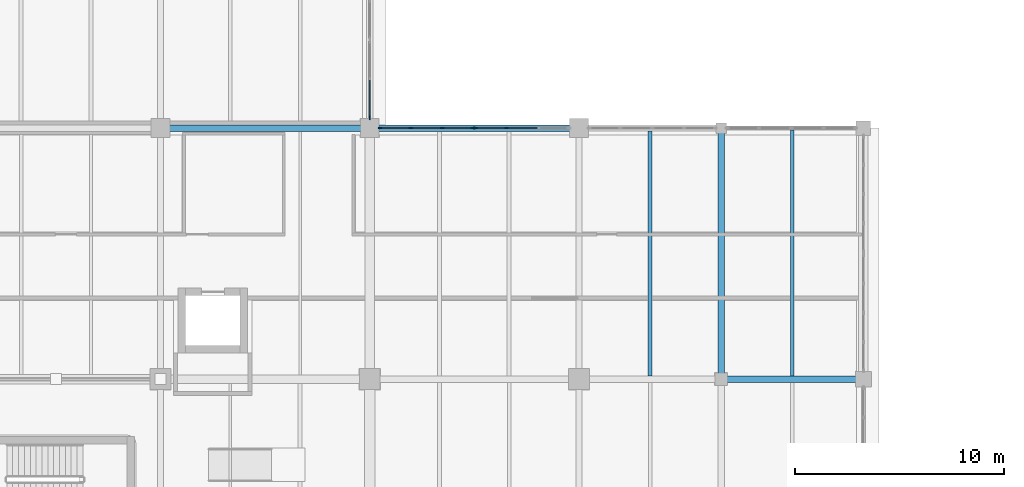
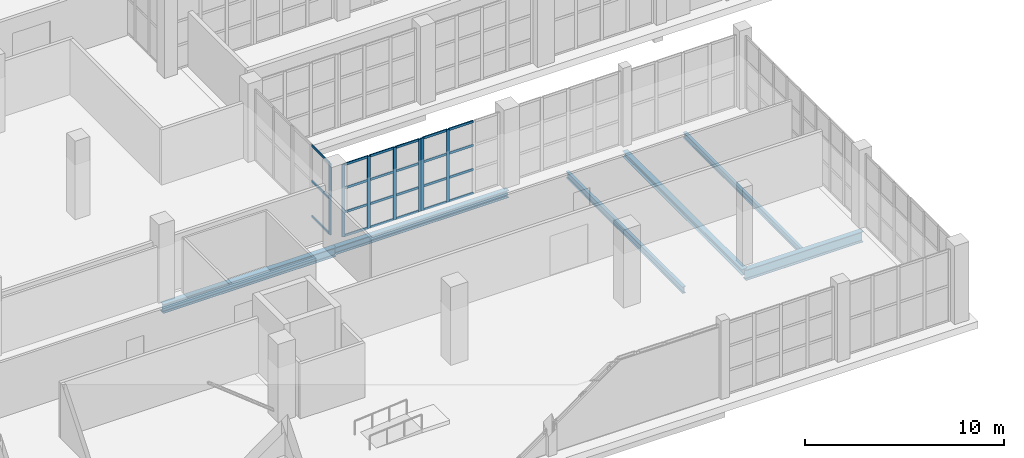
# One storey, part 43 of 121: 30 members, 6 beams, 3 elements without a shape of their own.
"""IFC4 building model written with IfcOpenShell, lengths in metres."""

from ifc_helpers import new_model, si_unit, direction, frame, origin, origin_2d, place, context, subcontext, project, spatial, rectangle, i_section, extrude, material, layer, layer_set, material_profile, profile_set, type_object, element, aggregate, save


model = new_model("IFC4")

# Units and contexts
model_context = context("Model", 3, precision=1e-05, world=origin(), true_north=direction((0.0, 1.0)))
body_context = subcontext(model_context, "Body", "Model", "MODEL_VIEW")
ifc_project = project(units=[si_unit("LENGTHUNIT", "METRE"), si_unit("AREAUNIT", "SQUARE_METRE"), si_unit("VOLUMEUNIT", "CUBIC_METRE"), si_unit("PLANEANGLEUNIT", "RADIAN"), si_unit("MASSUNIT", "GRAM", prefix="KILO")], contexts=[model_context])

# Site, building, storey
site_placement = place(None, origin())
site = spatial("IfcSite", under=ifc_project, at=site_placement, CompositionType="ELEMENT")
building_placement = place(site_placement, origin())
building = spatial("IfcBuilding", under=site, at=building_placement, Name="Zereglee Splitstone Museum", CompositionType="ELEMENT")
storey_placement = place(building_placement, origin())
storey = spatial("IfcBuildingStorey", under=building, at=storey_placement, Name="L00", CompositionType="ELEMENT", Elevation=0.0)

# Curtain wall, members
ifc_material_1 = material(Name="Triple-glazed low-E argon glass and bronze-anodised aluminium", Category="aluminium")
ifc_layer_1 = layer(ifc_material_1, 0.179931640625)
ifc_layer_set_1 = layer_set([ifc_layer_1], Name="Triple-glazed low-E argon glass and bronze-anodised aluminium")
curtain_wall_type_1 = type_object("IfcCurtainWallType", Name="CW-0450-444", PredefinedType="USERDEFINED", material=ifc_layer_set_1)
curtain_wall_1_placement = place(storey_placement, origin())
curtain_wall_1 = element("IfcCurtainWall", 1, at=curtain_wall_1_placement, inside=storey, type_object=curtain_wall_type_1, Name="Glazed Curtain Wall CW-0450-444 (L00)", ObjectType="GLAZED CURTAIN WALL", PredefinedType="USERDEFINED")
ifc_material_2 = material(Name="Thermally broken bronze-anodised aluminium", Category="aluminium")
ifc_material_profile_1 = material_profile(ifc_material_2, rectangle(XDim=0.06494140625, YDim=0.179931640625, at=origin_2d()), Name="CW MULL 65x180")
ifc_profile_set_1 = profile_set([ifc_material_profile_1], Name="Thermally broken bronze-anodised aluminium")
member_type_1 = type_object("IfcMemberType", Name="CWM-01", PredefinedType="MULLION", material=ifc_profile_set_1)
member_1_placement = place(storey_placement, frame((211.74072265625, 21.60009765625, 0.0), z_axis=(0.0, 0.0, 1.0), x_axis=(0.0, -1.0, 0.0)))
member_1 = element("IfcMember", 2, at=member_1_placement, type_object=member_type_1, Name="CW-0450-444 mullion 3", PredefinedType="MULLION", context=body_context, shape_type="SweptSolid", body=[
    extrude(rectangle(XDim=0.06494140625, YDim=0.179931640625, at=origin_2d()), origin(), (0.0, 0.0, 1.0), 4.43994140625),
])
member_2_placement = place(storey_placement, frame((210.2724609375, 21.60009765625, 0.0), z_axis=(0.0, 0.0, 1.0), x_axis=(0.0, -1.0, 0.0)))
member_2 = element("IfcMember", 3, at=member_2_placement, type_object=member_type_1, Name="CW-0450-444 mullion 4", PredefinedType="MULLION", context=body_context, shape_type="SweptSolid", body=[
    extrude(rectangle(XDim=0.06494140625, YDim=0.179931640625, at=origin_2d()), origin(), (0.0, 0.0, 1.0), 4.43994140625),
])

ifc_layer_2 = layer(ifc_material_1, 0.179931640625)
ifc_layer_set_2 = layer_set([ifc_layer_2], Name="Triple-glazed low-E argon glass and bronze-anodised aluminium")
curtain_wall_type_2 = type_object("IfcCurtainWallType", Name="CW-0450-442", PredefinedType="USERDEFINED", material=ifc_layer_set_2)
curtain_wall_2_placement = place(storey_placement, origin())
curtain_wall_2 = element("IfcCurtainWall", 4, at=curtain_wall_2_placement, inside=storey, type_object=curtain_wall_type_2, Name="Glazed Curtain Wall CW-0450-442 (L00)", ObjectType="GLAZED CURTAIN WALL", PredefinedType="USERDEFINED")
member_3_placement = place(storey_placement, frame((210.12744140625, 21.60009765625, 0.0), z_axis=(0.0, 0.0, 1.0), x_axis=(0.0, -1.0, 0.0)))
member_3 = element("IfcMember", 5, at=member_3_placement, type_object=member_type_1, Name="CW-0450-442 mullion 1", PredefinedType="MULLION", context=body_context, shape_type="SweptSolid", body=[
    extrude(rectangle(XDim=0.06494140625, YDim=0.179931640625, at=origin_2d()), origin(), (0.0, 0.0, 1.0), 4.419921875),
])
member_4_placement = place(storey_placement, frame((208.659423828125, 21.60009765625, 0.0), z_axis=(0.0, 0.0, 1.0), x_axis=(0.0, -1.0, 0.0)))
member_4 = element("IfcMember", 6, at=member_4_placement, type_object=member_type_1, Name="CW-0450-442 mullion 2", PredefinedType="MULLION", context=body_context, shape_type="SweptSolid", body=[
    extrude(rectangle(XDim=0.06494140625, YDim=0.179931640625, at=origin_2d()), origin(), (0.0, 0.0, 1.0), 4.419921875),
])
member_5_placement = place(storey_placement, frame((207.15869140625, 21.60009765625, 0.0), z_axis=(0.0, 0.0, 1.0), x_axis=(0.0, -1.0, 0.0)))
member_5 = element("IfcMember", 7, at=member_5_placement, type_object=member_type_1, Name="CW-0450-442 mullion 3", PredefinedType="MULLION", context=body_context, shape_type="SweptSolid", body=[
    extrude(rectangle(XDim=0.06494140625, YDim=0.179931640625, at=origin_2d()), origin(), (0.0, 0.0, 1.0), 4.419921875),
])
member_6_placement = place(storey_placement, frame((205.6904296875, 21.60009765625, 0.0), z_axis=(0.0, 0.0, 1.0), x_axis=(0.0, -1.0, 0.0)))
member_6 = element("IfcMember", 8, at=member_6_placement, type_object=member_type_1, Name="CW-0450-442 mullion 4", PredefinedType="MULLION", context=body_context, shape_type="SweptSolid", body=[
    extrude(rectangle(XDim=0.06494140625, YDim=0.179931640625, at=origin_2d()), origin(), (0.0, 0.0, 1.0), 4.419921875),
])

# Curtain wall, member
ifc_layer_3 = layer(ifc_material_1, 0.179931640625)
ifc_layer_set_3 = layer_set([ifc_layer_3], Name="Triple-glazed low-E argon glass and bronze-anodised aluminium")
curtain_wall_type_3 = type_object("IfcCurtainWallType", Name="CW-0371-438", PredefinedType="USERDEFINED", material=ifc_layer_set_3)
curtain_wall_3_placement = place(storey_placement, origin())
curtain_wall_3 = element("IfcCurtainWall", 9, at=curtain_wall_3_placement, inside=storey, type_object=curtain_wall_type_3, Name="Glazed Curtain Wall CW-0371-438 (L00)", ObjectType="GLAZED CURTAIN WALL", PredefinedType="USERDEFINED")
member_7_placement = place(storey_placement, frame((205.199951171875, 22.090576171875, 0.0), z_axis=(0.0, 0.0, 1.0), x_axis=(-1.0, 0.0, 0.0)))
member_7 = element("IfcMember", 10, at=member_7_placement, type_object=member_type_1, Name="CW-0371-438 mullion 1", PredefinedType="MULLION", context=body_context, shape_type="SweptSolid", body=[
    extrude(rectangle(XDim=0.06494140625, YDim=0.179931640625, at=origin_2d()), origin(), (0.0, 0.0, 1.0), 4.3798828125),
])

# Member
ifc_material_profile_2 = material_profile(ifc_material_2, rectangle(XDim=0.06494140625, YDim=0.139892578125, at=origin_2d()), Name="CW TRAN 65x140")
ifc_profile_set_2 = profile_set([ifc_material_profile_2], Name="Thermally broken bronze-anodised aluminium")
member_type_2 = type_object("IfcMemberType", Name="CWT-01", PredefinedType="USERDEFINED", material=ifc_profile_set_2)
member_8_placement = place(storey_placement, frame((213.208740234375, 21.60009765625, 0.032470703125), z_axis=(-1.0, 0.0, 0.0), x_axis=(0.0, -1.0, 0.0)))
member_8 = element("IfcMember", 11, at=member_8_placement, type_object=member_type_2, Name="CW-0450-444 transom 2.1", ObjectType="TRANSOM", PredefinedType="USERDEFINED", context=body_context, shape_type="SweptSolid", body=[
    extrude(rectangle(XDim=0.06494140625, YDim=0.139892578125, at=origin_2d()), origin(), (0.0, 0.0, 1.0), 1.435546875),
])

member_9_placement = place(storey_placement, frame((213.208740234375, 21.60009765625, 1.47998046875), z_axis=(-1.0, 0.0, 0.0), x_axis=(0.0, -1.0, 0.0)))
member_9 = element("IfcMember", 12, at=member_9_placement, type_object=member_type_2, Name="CW-0450-444 transom 2.2", ObjectType="TRANSOM", PredefinedType="USERDEFINED", context=body_context, shape_type="SweptSolid", body=[
    extrude(rectangle(XDim=0.06494140625, YDim=0.139892578125, at=origin_2d()), origin(), (0.0, 0.0, 1.0), 1.435546875),
])

member_10_placement = place(storey_placement, frame((213.208740234375, 21.60009765625, 2.9599609375), z_axis=(-1.0, 0.0, 0.0), x_axis=(0.0, -1.0, 0.0)))
member_10 = element("IfcMember", 13, at=member_10_placement, type_object=member_type_2, Name="CW-0450-444 transom 2.3", ObjectType="TRANSOM", PredefinedType="USERDEFINED", context=body_context, shape_type="SweptSolid", body=[
    extrude(rectangle(XDim=0.06494140625, YDim=0.139892578125, at=origin_2d()), origin(), (0.0, 0.0, 1.0), 1.435546875),
])

member_11_placement = place(storey_placement, frame((213.208740234375, 21.60009765625, 4.407470703125), z_axis=(-1.0, 0.0, 0.0), x_axis=(0.0, -1.0, 0.0)))
member_11 = element("IfcMember", 14, at=member_11_placement, type_object=member_type_2, Name="CW-0450-444 transom 2.4", ObjectType="TRANSOM", PredefinedType="USERDEFINED", context=body_context, shape_type="SweptSolid", body=[
    extrude(rectangle(XDim=0.06494140625, YDim=0.139892578125, at=origin_2d()), origin(), (0.0, 0.0, 1.0), 1.435546875),
])

member_12_placement = place(storey_placement, frame((211.708251953125, 21.60009765625, 0.032470703125), z_axis=(-1.0, 0.0, 0.0), x_axis=(0.0, -1.0, 0.0)))
member_12 = element("IfcMember", 15, at=member_12_placement, type_object=member_type_2, Name="CW-0450-444 transom 3.1", ObjectType="TRANSOM", PredefinedType="USERDEFINED", context=body_context, shape_type="SweptSolid", body=[
    extrude(rectangle(XDim=0.06494140625, YDim=0.139892578125, at=origin_2d()), origin(), (0.0, 0.0, 1.0), 1.4033203125),
])

member_13_placement = place(storey_placement, frame((211.708251953125, 21.60009765625, 1.47998046875), z_axis=(-1.0, 0.0, 0.0), x_axis=(0.0, -1.0, 0.0)))
member_13 = element("IfcMember", 16, at=member_13_placement, type_object=member_type_2, Name="CW-0450-444 transom 3.2", ObjectType="TRANSOM", PredefinedType="USERDEFINED", context=body_context, shape_type="SweptSolid", body=[
    extrude(rectangle(XDim=0.06494140625, YDim=0.139892578125, at=origin_2d()), origin(), (0.0, 0.0, 1.0), 1.4033203125),
])

member_14_placement = place(storey_placement, frame((211.708251953125, 21.60009765625, 2.9599609375), z_axis=(-1.0, 0.0, 0.0), x_axis=(0.0, -1.0, 0.0)))
member_14 = element("IfcMember", 17, at=member_14_placement, type_object=member_type_2, Name="CW-0450-444 transom 3.3", ObjectType="TRANSOM", PredefinedType="USERDEFINED", context=body_context, shape_type="SweptSolid", body=[
    extrude(rectangle(XDim=0.06494140625, YDim=0.139892578125, at=origin_2d()), origin(), (0.0, 0.0, 1.0), 1.4033203125),
])

member_15_placement = place(storey_placement, frame((211.708251953125, 21.60009765625, 4.407470703125), z_axis=(-1.0, 0.0, 0.0), x_axis=(0.0, -1.0, 0.0)))
member_15 = element("IfcMember", 18, at=member_15_placement, type_object=member_type_2, Name="CW-0450-444 transom 3.4", ObjectType="TRANSOM", PredefinedType="USERDEFINED", context=body_context, shape_type="SweptSolid", body=[
    extrude(rectangle(XDim=0.06494140625, YDim=0.139892578125, at=origin_2d()), origin(), (0.0, 0.0, 1.0), 1.4033203125),
])

aggregate(curtain_wall_1, [member_1, member_2, member_8, member_9, member_10, member_11, member_12, member_13, member_14, member_15])

member_16_placement = place(storey_placement, frame((210.094970703125, 21.60009765625, 0.032470703125), z_axis=(-1.0, 0.0, 0.0), x_axis=(0.0, -1.0, 0.0)))
member_16 = element("IfcMember", 19, at=member_16_placement, type_object=member_type_2, Name="CW-0450-442 transom 1.1", ObjectType="TRANSOM", PredefinedType="USERDEFINED", context=body_context, shape_type="SweptSolid", body=[
    extrude(rectangle(XDim=0.06494140625, YDim=0.139892578125, at=origin_2d()), origin(), (0.0, 0.0, 1.0), 1.403076171875),
])

member_17_placement = place(storey_placement, frame((210.094970703125, 21.60009765625, 1.473388671875), z_axis=(-1.0, 0.0, 0.0), x_axis=(0.0, -1.0, 0.0)))
member_17 = element("IfcMember", 20, at=member_17_placement, type_object=member_type_2, Name="CW-0450-442 transom 1.2", ObjectType="TRANSOM", PredefinedType="USERDEFINED", context=body_context, shape_type="SweptSolid", body=[
    extrude(rectangle(XDim=0.06494140625, YDim=0.139892578125, at=origin_2d()), origin(), (0.0, 0.0, 1.0), 1.403076171875),
])

member_18_placement = place(storey_placement, frame((210.094970703125, 21.60009765625, 2.94677734375), z_axis=(-1.0, 0.0, 0.0), x_axis=(0.0, -1.0, 0.0)))
member_18 = element("IfcMember", 21, at=member_18_placement, type_object=member_type_2, Name="CW-0450-442 transom 1.3", ObjectType="TRANSOM", PredefinedType="USERDEFINED", context=body_context, shape_type="SweptSolid", body=[
    extrude(rectangle(XDim=0.06494140625, YDim=0.139892578125, at=origin_2d()), origin(), (0.0, 0.0, 1.0), 1.403076171875),
])

member_19_placement = place(storey_placement, frame((210.094970703125, 21.60009765625, 4.387451171875), z_axis=(-1.0, 0.0, 0.0), x_axis=(0.0, -1.0, 0.0)))
member_19 = element("IfcMember", 22, at=member_19_placement, type_object=member_type_2, Name="CW-0450-442 transom 1.4", ObjectType="TRANSOM", PredefinedType="USERDEFINED", context=body_context, shape_type="SweptSolid", body=[
    extrude(rectangle(XDim=0.06494140625, YDim=0.139892578125, at=origin_2d()), origin(), (0.0, 0.0, 1.0), 1.403076171875),
])

member_20_placement = place(storey_placement, frame((208.626953125, 21.60009765625, 0.032470703125), z_axis=(-1.0, 0.0, 0.0), x_axis=(0.0, -1.0, 0.0)))
member_20 = element("IfcMember", 23, at=member_20_placement, type_object=member_type_2, Name="CW-0450-442 transom 2.1", ObjectType="TRANSOM", PredefinedType="USERDEFINED", context=body_context, shape_type="SweptSolid", body=[
    extrude(rectangle(XDim=0.06494140625, YDim=0.139892578125, at=origin_2d()), origin(), (0.0, 0.0, 1.0), 1.435791015625),
])

member_21_placement = place(storey_placement, frame((208.626953125, 21.60009765625, 1.473388671875), z_axis=(-1.0, 0.0, 0.0), x_axis=(0.0, -1.0, 0.0)))
member_21 = element("IfcMember", 24, at=member_21_placement, type_object=member_type_2, Name="CW-0450-442 transom 2.2", ObjectType="TRANSOM", PredefinedType="USERDEFINED", context=body_context, shape_type="SweptSolid", body=[
    extrude(rectangle(XDim=0.06494140625, YDim=0.139892578125, at=origin_2d()), origin(), (0.0, 0.0, 1.0), 1.435791015625),
])

member_22_placement = place(storey_placement, frame((208.626953125, 21.60009765625, 2.94677734375), z_axis=(-1.0, 0.0, 0.0), x_axis=(0.0, -1.0, 0.0)))
member_22 = element("IfcMember", 25, at=member_22_placement, type_object=member_type_2, Name="CW-0450-442 transom 2.3", ObjectType="TRANSOM", PredefinedType="USERDEFINED", context=body_context, shape_type="SweptSolid", body=[
    extrude(rectangle(XDim=0.06494140625, YDim=0.139892578125, at=origin_2d()), origin(), (0.0, 0.0, 1.0), 1.435791015625),
])

member_23_placement = place(storey_placement, frame((208.626953125, 21.60009765625, 4.387451171875), z_axis=(-1.0, 0.0, 0.0), x_axis=(0.0, -1.0, 0.0)))
member_23 = element("IfcMember", 26, at=member_23_placement, type_object=member_type_2, Name="CW-0450-442 transom 2.4", ObjectType="TRANSOM", PredefinedType="USERDEFINED", context=body_context, shape_type="SweptSolid", body=[
    extrude(rectangle(XDim=0.06494140625, YDim=0.139892578125, at=origin_2d()), origin(), (0.0, 0.0, 1.0), 1.435791015625),
])

member_24_placement = place(storey_placement, frame((207.126220703125, 21.60009765625, 0.032470703125), z_axis=(-1.0, 0.0, 0.0), x_axis=(0.0, -1.0, 0.0)))
member_24 = element("IfcMember", 27, at=member_24_placement, type_object=member_type_2, Name="CW-0450-442 transom 3.1", ObjectType="TRANSOM", PredefinedType="USERDEFINED", context=body_context, shape_type="SweptSolid", body=[
    extrude(rectangle(XDim=0.06494140625, YDim=0.139892578125, at=origin_2d()), origin(), (0.0, 0.0, 1.0), 1.4033203125),
])

member_25_placement = place(storey_placement, frame((207.126220703125, 21.60009765625, 1.473388671875), z_axis=(-1.0, 0.0, 0.0), x_axis=(0.0, -1.0, 0.0)))
member_25 = element("IfcMember", 28, at=member_25_placement, type_object=member_type_2, Name="CW-0450-442 transom 3.2", ObjectType="TRANSOM", PredefinedType="USERDEFINED", context=body_context, shape_type="SweptSolid", body=[
    extrude(rectangle(XDim=0.06494140625, YDim=0.139892578125, at=origin_2d()), origin(), (0.0, 0.0, 1.0), 1.4033203125),
])

member_26_placement = place(storey_placement, frame((207.126220703125, 21.60009765625, 2.94677734375), z_axis=(-1.0, 0.0, 0.0), x_axis=(0.0, -1.0, 0.0)))
member_26 = element("IfcMember", 29, at=member_26_placement, type_object=member_type_2, Name="CW-0450-442 transom 3.3", ObjectType="TRANSOM", PredefinedType="USERDEFINED", context=body_context, shape_type="SweptSolid", body=[
    extrude(rectangle(XDim=0.06494140625, YDim=0.139892578125, at=origin_2d()), origin(), (0.0, 0.0, 1.0), 1.4033203125),
])

member_27_placement = place(storey_placement, frame((207.126220703125, 21.60009765625, 4.387451171875), z_axis=(-1.0, 0.0, 0.0), x_axis=(0.0, -1.0, 0.0)))
member_27 = element("IfcMember", 30, at=member_27_placement, type_object=member_type_2, Name="CW-0450-442 transom 3.4", ObjectType="TRANSOM", PredefinedType="USERDEFINED", context=body_context, shape_type="SweptSolid", body=[
    extrude(rectangle(XDim=0.06494140625, YDim=0.139892578125, at=origin_2d()), origin(), (0.0, 0.0, 1.0), 1.4033203125),
])

aggregate(curtain_wall_2, [member_3, member_4, member_5, member_6, member_16, member_17, member_18, member_19, member_20, member_21, member_22, member_23, member_24, member_25, member_26, member_27])

member_28_placement = place(storey_placement, frame((205.199951171875, 22.123046875, 0.032470703125), z_axis=(0.0, 1.0, 0.0), x_axis=(-1.0, 0.0, 0.0)))
member_28 = element("IfcMember", 31, at=member_28_placement, type_object=member_type_2, Name="CW-0371-438 transom 1.1", ObjectType="TRANSOM", PredefinedType="USERDEFINED", context=body_context, shape_type="SweptSolid", body=[
    extrude(rectangle(XDim=0.06494140625, YDim=0.139892578125, at=origin_2d()), origin(), (0.0, 0.0, 1.0), 1.759765625),
])

member_29_placement = place(storey_placement, frame((205.199951171875, 22.123046875, 2.18994140625), z_axis=(0.0, 1.0, 0.0), x_axis=(-1.0, 0.0, 0.0)))
member_29 = element("IfcMember", 32, at=member_29_placement, type_object=member_type_2, Name="CW-0371-438 transom 1.2", ObjectType="TRANSOM", PredefinedType="USERDEFINED", context=body_context, shape_type="SweptSolid", body=[
    extrude(rectangle(XDim=0.06494140625, YDim=0.139892578125, at=origin_2d()), origin(), (0.0, 0.0, 1.0), 1.759765625),
])

member_30_placement = place(storey_placement, frame((205.199951171875, 22.123046875, 4.347412109375), z_axis=(0.0, 1.0, 0.0), x_axis=(-1.0, 0.0, 0.0)))
member_30 = element("IfcMember", 33, at=member_30_placement, type_object=member_type_2, Name="CW-0371-438 transom 1.3", ObjectType="TRANSOM", PredefinedType="USERDEFINED", context=body_context, shape_type="SweptSolid", body=[
    extrude(rectangle(XDim=0.06494140625, YDim=0.139892578125, at=origin_2d()), origin(), (0.0, 0.0, 1.0), 1.759765625),
])

aggregate(curtain_wall_3, [member_7, member_28, member_29, member_30])

# Beams
ifc_material_3 = material(Name="Steel S355J2", Category="steel")
ifc_material_profile_3 = material_profile(ifc_material_3, i_section(OverallWidth=0.300048828125, OverallDepth=0.360107421875, WebThickness=0.012451171875, FlangeThickness=0.0224609375, FilletRadius=0.027099609375, at=origin_2d()), Name="HE 360 B")
ifc_profile_set_3 = profile_set([ifc_material_profile_3], Name="Steel S355J2")
beam_type_1 = type_object("IfcBeamType", Name="BG-14", PredefinedType="BEAM", material=ifc_profile_set_3)
beam_1_placement = place(storey_placement, frame((222.0, 9.60009765625, -0.60009765625), z_axis=(0.0, 1.0, 0.0), x_axis=(-1.0, 0.0, 0.0)))
element("IfcBeam", 34, at=beam_1_placement, inside=storey, type_object=beam_type_1, Name="Primary Girder L00 25 (9.6-21.6)", PredefinedType="BEAM", context=body_context, shape_type="SweptSolid", body=[
    extrude(i_section(OverallWidth=0.300048828125, OverallDepth=0.360107421875, WebThickness=0.012451171875, FlangeThickness=0.0224609375, FilletRadius=0.027099609375, at=origin_2d()), origin(), (0.0, 0.0, 1.0), 12.0),
])
ifc_material_profile_4 = material_profile(ifc_material_3, i_section(OverallWidth=0.300048828125, OverallDepth=0.550048828125, WebThickness=0.014892578125, FlangeThickness=0.029052734375, FilletRadius=0.027099609375, at=origin_2d()), Name="HE 550 B")
ifc_profile_set_4 = profile_set([ifc_material_profile_4], Name="Steel S355J2")
beam_type_2 = type_object("IfcBeamType", Name="BG-11", PredefinedType="BEAM", material=ifc_profile_set_4)
beam_2_placement = place(storey_placement, frame((195.199951171875, 21.60009765625, -0.695068359375), z_axis=(1.0, 0.0, 0.0), x_axis=(0.0, 1.0, 0.0)))
element("IfcBeam", 35, at=beam_2_placement, inside=storey, type_object=beam_type_2, Name="Primary Girder L00 C (195.2-205.2)", PredefinedType="BEAM", context=body_context, shape_type="SweptSolid", body=[
    extrude(i_section(OverallWidth=0.300048828125, OverallDepth=0.550048828125, WebThickness=0.014892578125, FlangeThickness=0.029052734375, FilletRadius=0.027099609375, at=origin_2d()), origin(), (0.0, 0.0, 1.0), 10.0),
])
ifc_material_profile_5 = material_profile(ifc_material_3, i_section(OverallWidth=0.300048828125, OverallDepth=0.64990234375, WebThickness=0.01611328125, FlangeThickness=0.031005859375, FilletRadius=0.027099609375, at=origin_2d()), Name="HE 650 B")
ifc_profile_set_5 = profile_set([ifc_material_profile_5], Name="Steel S355J2")
beam_type_3 = type_object("IfcBeamType", Name="BG-09", PredefinedType="BEAM", material=ifc_profile_set_5)
beam_3_placement = place(storey_placement, frame((222.0, 9.60009765625, -0.7451171875), z_axis=(1.0, 0.0, 0.0), x_axis=(0.0, 1.0, 0.0)))
element("IfcBeam", 36, at=beam_3_placement, inside=storey, type_object=beam_type_3, Name="Primary Girder L00 B (222.0-228.8)", PredefinedType="BEAM", context=body_context, shape_type="SweptSolid", body=[
    extrude(i_section(OverallWidth=0.300048828125, OverallDepth=0.64990234375, WebThickness=0.01611328125, FlangeThickness=0.031005859375, FilletRadius=0.027099609375, at=origin_2d()), origin(), (0.0, 0.0, 1.0), 6.800048828125),
])
ifc_material_profile_6 = material_profile(ifc_material_3, i_section(OverallWidth=0.169921875, OverallDepth=0.360107421875, WebThickness=0.008056640625, FlangeThickness=0.0126953125, FilletRadius=0.01806640625, at=origin_2d()), Name="IPE 360")
ifc_profile_set_6 = profile_set([ifc_material_profile_6], Name="Steel S355J2")
beam_type_4 = type_object("IfcBeamType", Name="BJ-04", PredefinedType="JOIST", material=ifc_profile_set_6)
beam_4_placement = place(storey_placement, frame((225.39990234375, 9.75, -0.60009765625), z_axis=(0.0, 1.0, 0.0), x_axis=(-1.0, 0.0, 0.0)))
element("IfcBeam", 37, at=beam_4_placement, inside=storey, type_object=beam_type_4, Name="Secondary Floor Joist L00-0304", PredefinedType="JOIST", context=body_context, shape_type="SweptSolid", body=[
    extrude(i_section(OverallWidth=0.169921875, OverallDepth=0.360107421875, WebThickness=0.008056640625, FlangeThickness=0.0126953125, FilletRadius=0.01806640625, at=origin_2d()), origin(), (0.0, 0.0, 1.0), 11.75),
])
ifc_material_profile_7 = material_profile(ifc_material_3, i_section(OverallWidth=0.179931640625, OverallDepth=0.39990234375, WebThickness=0.008544921875, FlangeThickness=0.013427734375, FilletRadius=0.02099609375, at=origin_2d()), Name="IPE 400")
ifc_profile_set_7 = profile_set([ifc_material_profile_7], Name="Steel S355J2")
beam_type_5 = type_object("IfcBeamType", Name="BJ-03", PredefinedType="JOIST", material=ifc_profile_set_7)
beam_5_placement = place(storey_placement, frame((218.60009765625, 9.75, -0.6201171875), z_axis=(0.0, 1.0, 0.0), x_axis=(-1.0, 0.0, 0.0)))
element("IfcBeam", 38, at=beam_5_placement, inside=storey, type_object=beam_type_5, Name="Secondary Floor Joist L00-0303", PredefinedType="JOIST", context=body_context, shape_type="SweptSolid", body=[
    extrude(i_section(OverallWidth=0.179931640625, OverallDepth=0.39990234375, WebThickness=0.008544921875, FlangeThickness=0.013427734375, FilletRadius=0.02099609375, at=origin_2d()), origin(), (0.0, 0.0, 1.0), 11.7099609375),
])
ifc_material_profile_8 = material_profile(ifc_material_3, i_section(OverallWidth=0.300048828125, OverallDepth=0.449951171875, WebThickness=0.013916015625, FlangeThickness=0.02587890625, FilletRadius=0.027099609375, at=origin_2d()), Name="HE 450 B")
ifc_profile_set_8 = profile_set([ifc_material_profile_8], Name="Steel S355J2")
beam_type_6 = type_object("IfcBeamType", Name="SP-02", PredefinedType="SPANDREL", material=ifc_profile_set_8)
beam_6_placement = place(storey_placement, frame((205.199951171875, 21.60009765625, -0.64501953125), z_axis=(1.0, 0.0, 0.0), x_axis=(0.0, 1.0, 0.0)))
element("IfcBeam", 39, at=beam_6_placement, inside=storey, type_object=beam_type_6, Name="Primary Girder L00 C (205.2-215.2)", PredefinedType="SPANDREL", context=body_context, shape_type="SweptSolid", body=[
    extrude(i_section(OverallWidth=0.300048828125, OverallDepth=0.449951171875, WebThickness=0.013916015625, FlangeThickness=0.02587890625, FilletRadius=0.027099609375, at=origin_2d()), origin(), (0.0, 0.0, 1.0), 10.0),
])

save(model, "model.ifc")
